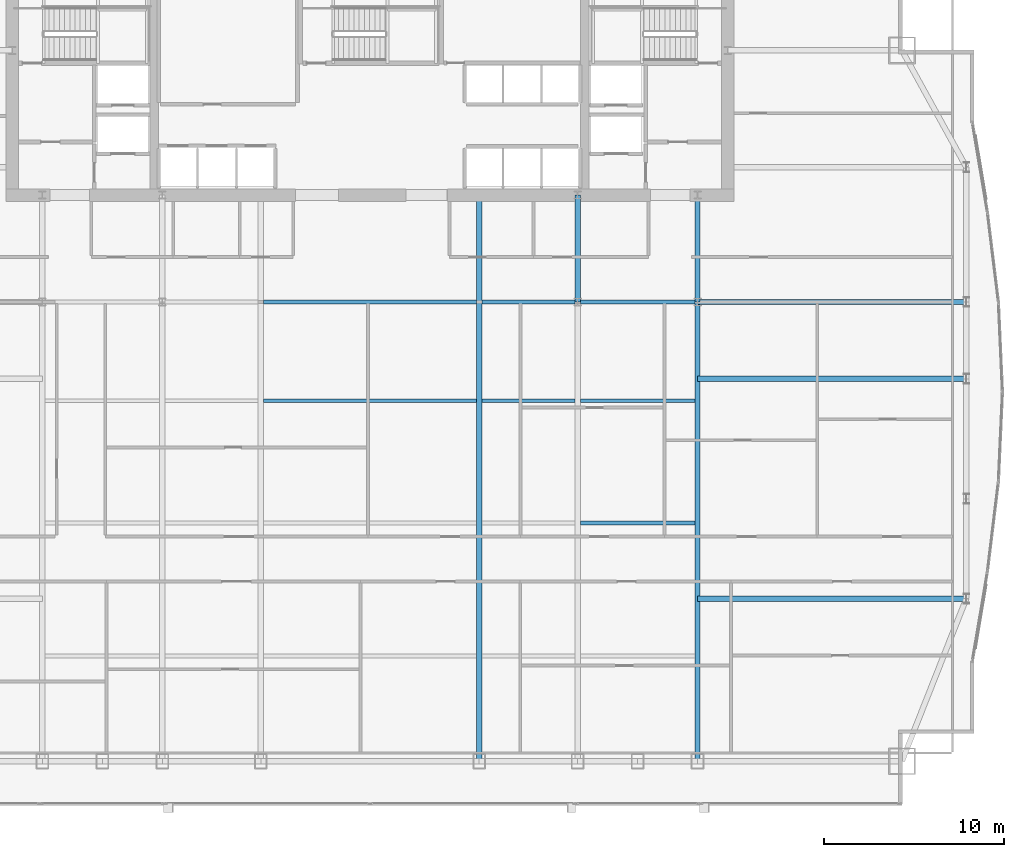
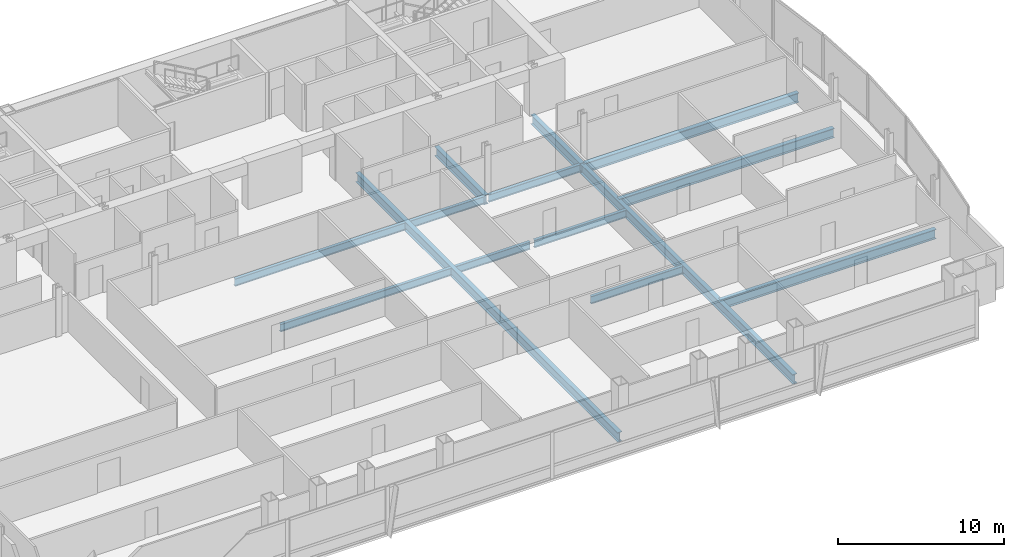
# One storey, part 16 of 31: 14 beams.
"""IFC4 building model written with IfcOpenShell, lengths in metres."""

from ifc_helpers import new_model, si_unit, direction, frame, origin, origin_2d, place, context, subcontext, project, spatial, i_section, extrude, material, material_profile, profile_set, type_object, element, save


model = new_model("IFC4")

# Units and contexts
model_context = context("Model", 3, precision=1e-05, world=origin(), true_north=direction((0.0, 1.0)))
body_context = subcontext(model_context, "Body", "Model", "MODEL_VIEW")
ifc_project = project(units=[si_unit("LENGTHUNIT", "METRE"), si_unit("AREAUNIT", "SQUARE_METRE"), si_unit("VOLUMEUNIT", "CUBIC_METRE"), si_unit("PLANEANGLEUNIT", "RADIAN"), si_unit("MASSUNIT", "GRAM", prefix="KILO")], contexts=[model_context])

# Site, building, storey
site_placement = place(None, origin())
site = spatial("IfcSite", under=ifc_project, at=site_placement, CompositionType="ELEMENT")
building_placement = place(site_placement, origin())
building = spatial("IfcBuilding", under=site, at=building_placement, Name="Khoronbel Lancet Exchange", CompositionType="ELEMENT")
storey_placement = place(building_placement, frame((0.0, 0.0, 121.800048828125)))
storey = spatial("IfcBuildingStorey", under=building, at=storey_placement, Name="L29", CompositionType="ELEMENT", Elevation=121.800048828125)

# Beams
ifc_material = material(Name="Steel S355", Category="steel")
ifc_material_profile_1 = material_profile(ifc_material, i_section(OverallWidth=0.300048828125, OverallDepth=0.699951171875, WebThickness=0.01708984375, FlangeThickness=0.031982421875, at=origin_2d()), Name="HEB 700")
ifc_profile_set_1 = profile_set([ifc_material_profile_1], Name="Steel S355")
beam_type_1 = type_object("IfcBeamType", Name="BM-BG3", PredefinedType="BEAM", material=ifc_profile_set_1)
beam_1_placement = place(storey_placement, frame((42.52490234375, 10.14990234375, -0.510009765625), z_axis=(0.0, 1.0, 0.0), x_axis=(-1.0, 0.0, 0.0)))
element("IfcBeam", 1, at=beam_1_placement, inside=storey, type_object=beam_type_1, Name="Level L29 primary floor girder G4", PredefinedType="BEAM", context=body_context, shape_type="SweptSolid", body=[
    extrude(i_section(OverallWidth=0.300048828125, OverallDepth=0.699951171875, WebThickness=0.01708984375, FlangeThickness=0.031982421875, at=origin_2d()), origin(), (0.0, 0.0, 1.0), 31.5),
])
beam_2_placement = place(storey_placement, frame((48.0, 35.699951171875, -0.510009765625), z_axis=(0.0, 1.0, 0.0), x_axis=(-1.0, 0.0, 0.0)))
element("IfcBeam", 2, at=beam_2_placement, inside=storey, type_object=beam_type_1, Name="Level L29 spine tie girder GN5", PredefinedType="BEAM", context=body_context, shape_type="SweptSolid", body=[
    extrude(i_section(OverallWidth=0.300048828125, OverallDepth=0.699951171875, WebThickness=0.01708984375, FlangeThickness=0.031982421875, at=origin_2d()), origin(), (0.0, 0.0, 1.0), 5.949951171875),
])
beam_3_placement = place(storey_placement, frame((54.675048828125, 10.14990234375, -0.510009765625), z_axis=(0.0, 1.0, 0.0), x_axis=(-1.0, 0.0, 0.0)))
element("IfcBeam", 3, at=beam_3_placement, inside=storey, type_object=beam_type_1, Name="Level L29 south primary girder GS6", PredefinedType="BEAM", context=body_context, shape_type="SweptSolid", body=[
    extrude(i_section(OverallWidth=0.300048828125, OverallDepth=0.699951171875, WebThickness=0.01708984375, FlangeThickness=0.031982421875, at=origin_2d()), origin(), (0.0, 0.0, 1.0), 25.550048828125),
])
beam_4_placement = place(storey_placement, frame((54.675048828125, 35.699951171875, -0.510009765625), z_axis=(0.0, 1.0, 0.0), x_axis=(-1.0, 0.0, 0.0)))
element("IfcBeam", 4, at=beam_4_placement, inside=storey, type_object=beam_type_1, Name="Level L29 spine tie girder GN6", PredefinedType="BEAM", context=body_context, shape_type="SweptSolid", body=[
    extrude(i_section(OverallWidth=0.300048828125, OverallDepth=0.699951171875, WebThickness=0.01708984375, FlangeThickness=0.031982421875, at=origin_2d()), origin(), (0.0, 0.0, 1.0), 5.949951171875),
])
for number, where, z_axis, x_axis, name in (
    (5, (54.675048828125, 19.199951171875, -0.510009765625), (1.0, 0.0, 0.0), (0.0, 1.0, 0.0), "Level L29 east lens tie girder LG1E"),
    (6, (54.675048828125, 31.425048828125, -0.510009765625), (1.0, 0.0, 0.0), (0.0, 1.0, 0.0), "Level L29 east lens tie girder LG2E"),
    (7, (54.675048828125, 35.699951171875, -0.510009765625), (1.0, 0.0, 0.0), (0.0, 1.0, 0.0), "Level L29 east lens tie girder LG4E"),
):
    element("IfcBeam", number, at=place(storey_placement, frame(where, z_axis=z_axis, x_axis=x_axis)), inside=storey, type_object=beam_type_1, Name=name, PredefinedType="BEAM", context=body_context, shape_type="SweptSolid", body=[
        extrude(i_section(OverallWidth=0.300048828125, OverallDepth=0.699951171875, WebThickness=0.01708984375, FlangeThickness=0.031982421875, at=origin_2d()), origin(), (0.0, 0.0, 1.0), 14.954833984375),
    ])
ifc_material_profile_2 = material_profile(ifc_material, i_section(OverallWidth=0.2099609375, OverallDepth=0.550048828125, WebThickness=0.010986328125, FlangeThickness=0.01708984375, at=origin_2d()), Name="IPE 550")
ifc_profile_set_2 = profile_set([ifc_material_profile_2], Name="Steel S355")
beam_type_2 = type_object("IfcBeamType", Name="BM-BJ2", PredefinedType="JOIST", material=ifc_profile_set_2)
beam_5_placement = place(storey_placement, frame((48.14990234375, 23.39990234375, -0.43505859375), z_axis=(1.0, 0.0, 0.0), x_axis=(0.0, 1.0, 0.0)))
element("IfcBeam", 8, at=beam_5_placement, inside=storey, type_object=beam_type_2, Name="Level L29 secondary composite joist J10", PredefinedType="JOIST", context=body_context, shape_type="SweptSolid", body=[
    extrude(i_section(OverallWidth=0.2099609375, OverallDepth=0.550048828125, WebThickness=0.010986328125, FlangeThickness=0.01708984375, at=origin_2d()), origin(), (0.0, 0.0, 1.0), 6.375),
])
beam_6_placement = place(storey_placement, frame((30.52490234375, 30.199951171875, -0.43505859375), z_axis=(1.0, 0.0, 0.0), x_axis=(0.0, 1.0, 0.0)))
element("IfcBeam", 9, at=beam_6_placement, inside=storey, type_object=beam_type_2, Name="Level L29 secondary composite joist J13", PredefinedType="JOIST", context=body_context, shape_type="SweptSolid", body=[
    extrude(i_section(OverallWidth=0.2099609375, OverallDepth=0.550048828125, WebThickness=0.010986328125, FlangeThickness=0.01708984375, at=origin_2d()), origin(), (0.0, 0.0, 1.0), 11.85009765625),
])
beam_7_placement = place(storey_placement, frame((42.675048828125, 30.199951171875, -0.43505859375), z_axis=(1.0, 0.0, 0.0), x_axis=(0.0, 1.0, 0.0)))
element("IfcBeam", 10, at=beam_7_placement, inside=storey, type_object=beam_type_2, Name="Level L29 secondary composite joist J14", PredefinedType="JOIST", context=body_context, shape_type="SweptSolid", body=[
    extrude(i_section(OverallWidth=0.2099609375, OverallDepth=0.550048828125, WebThickness=0.010986328125, FlangeThickness=0.01708984375, at=origin_2d()), origin(), (0.0, 0.0, 1.0), 5.175048828125),
])
beam_8_placement = place(storey_placement, frame((48.14990234375, 30.199951171875, -0.43505859375), z_axis=(1.0, 0.0, 0.0), x_axis=(0.0, 1.0, 0.0)))
element("IfcBeam", 11, at=beam_8_placement, inside=storey, type_object=beam_type_2, Name="Level L29 secondary composite joist J15", PredefinedType="JOIST", context=body_context, shape_type="SweptSolid", body=[
    extrude(i_section(OverallWidth=0.2099609375, OverallDepth=0.550048828125, WebThickness=0.010986328125, FlangeThickness=0.01708984375, at=origin_2d()), origin(), (0.0, 0.0, 1.0), 6.375),
])
beam_9_placement = place(storey_placement, frame((30.52490234375, 35.699951171875, -0.43505859375), z_axis=(1.0, 0.0, 0.0), x_axis=(0.0, 1.0, 0.0)))
element("IfcBeam", 12, at=beam_9_placement, inside=storey, type_object=beam_type_2, Name="Level L29 secondary composite joist J18", PredefinedType="JOIST", context=body_context, shape_type="SweptSolid", body=[
    extrude(i_section(OverallWidth=0.2099609375, OverallDepth=0.550048828125, WebThickness=0.010986328125, FlangeThickness=0.01708984375, at=origin_2d()), origin(), (0.0, 0.0, 1.0), 11.85009765625),
])
beam_10_placement = place(storey_placement, frame((42.675048828125, 35.699951171875, -0.43505859375), z_axis=(1.0, 0.0, 0.0), x_axis=(0.0, 1.0, 0.0)))
element("IfcBeam", 13, at=beam_10_placement, inside=storey, type_object=beam_type_2, Name="Level L29 secondary composite joist J19", PredefinedType="JOIST", context=body_context, shape_type="SweptSolid", body=[
    extrude(i_section(OverallWidth=0.2099609375, OverallDepth=0.550048828125, WebThickness=0.010986328125, FlangeThickness=0.01708984375, at=origin_2d()), origin(), (0.0, 0.0, 1.0), 5.175048828125),
])
beam_11_placement = place(storey_placement, frame((48.14990234375, 35.699951171875, -0.43505859375), z_axis=(1.0, 0.0, 0.0), x_axis=(0.0, 1.0, 0.0)))
element("IfcBeam", 14, at=beam_11_placement, inside=storey, type_object=beam_type_2, Name="Level L29 secondary composite joist J20", PredefinedType="JOIST", context=body_context, shape_type="SweptSolid", body=[
    extrude(i_section(OverallWidth=0.2099609375, OverallDepth=0.550048828125, WebThickness=0.010986328125, FlangeThickness=0.01708984375, at=origin_2d()), origin(), (0.0, 0.0, 1.0), 6.375),
])

save(model, "model.ifc")
